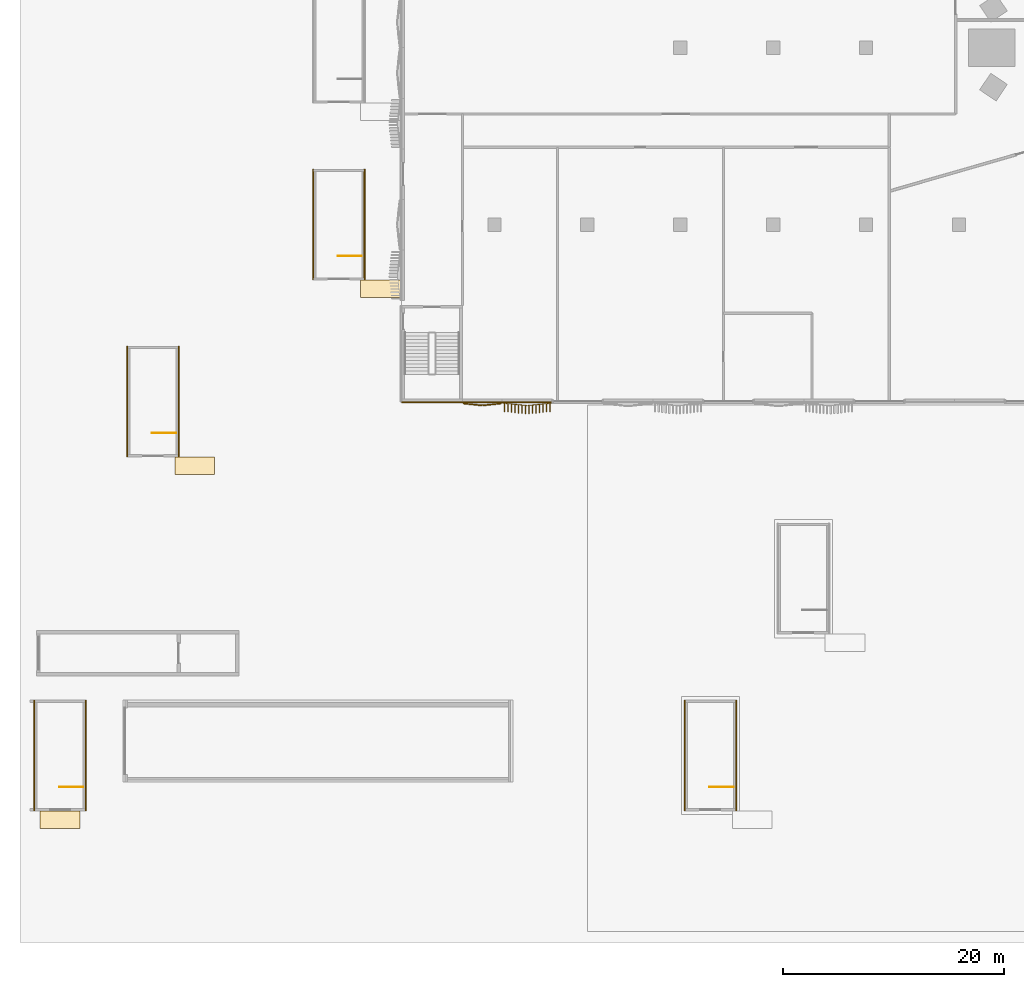
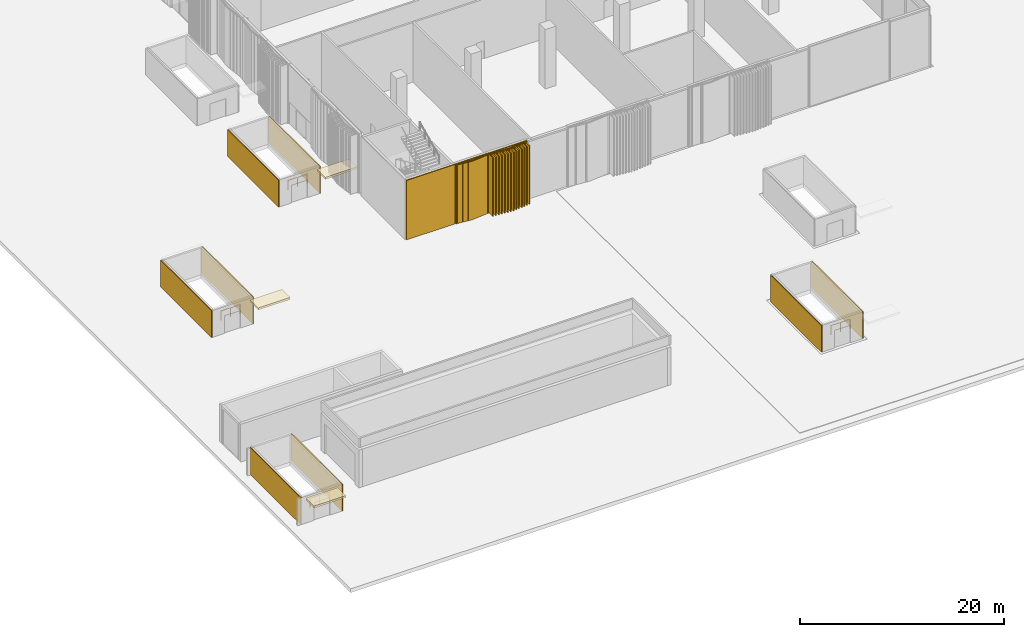
# One storey, part 29 of 41: 15 coverings, 4 railings.
"""IFC4 building model written with IfcOpenShell, lengths in metres."""

from ifc_helpers import new_model, si_unit, direction, frame, frame_2d, origin, origin_2d, place, context, subcontext, project, spatial, polyline, rectangle, circle, outline, extrude, source, transform, mapped, material, layer, layer_set, type_object, element, save


model = new_model("IFC4")

# Units and contexts
model_context = context("Model", 3, precision=1e-05, world=origin(), true_north=direction((0.0, 1.0)))
body_context = subcontext(model_context, "Body", "Model", "MODEL_VIEW")
ifc_project = project(units=[si_unit("LENGTHUNIT", "METRE"), si_unit("AREAUNIT", "SQUARE_METRE"), si_unit("VOLUMEUNIT", "CUBIC_METRE"), si_unit("PLANEANGLEUNIT", "RADIAN"), si_unit("MASSUNIT", "GRAM", prefix="KILO")], contexts=[model_context])

# Site, building, storey
site_placement = place(None, origin())
site = spatial("IfcSite", under=ifc_project, at=site_placement, CompositionType="ELEMENT")
building_placement = place(site_placement, origin())
building = spatial("IfcBuilding", under=site, at=building_placement, Name="Tamra Quay Hotel Tower", CompositionType="ELEMENT")
storey_placement = place(building_placement, origin())
storey = spatial("IfcBuildingStorey", under=building, at=storey_placement, Name="L00", CompositionType="ELEMENT", Elevation=0.0)

# Railings
ifc_material_1 = material(Name="Basement stair guard 1100")
railing_type = type_object("IfcRailingType", Name="Basement stair guard 1100", PredefinedType="GUARDRAIL", material=ifc_material_1)
railing_1_placement = place(storey_placement, frame((-109.5, -34.85009765625, 0.0)))
element("IfcRailing", 1, at=railing_1_placement, inside=storey, type_object=railing_type, Name="BSG", PredefinedType="GUARDRAIL", context=body_context, shape_type="SweptSolid", body=[
    extrude(circle(Radius=0.02392578125, at=origin_2d()), frame((0.0, 0.0, 1.076171875), z_axis=(-1.0, 0.0, 0.0), x_axis=(0.0, -1.0, 0.0)), (0.0, 0.0, 1.0), 2.14990234375),
    extrude(circle(Radius=0.02099609375, at=origin_2d()), origin(), (0.0, 0.0, 1.0), 1.052001953125),
    extrude(circle(Radius=0.02099609375, at=origin_2d()), frame((-1.074951171875, 0.0, 0.0)), (0.0, 0.0, 1.0), 1.052001953125),
    extrude(circle(Radius=0.02099609375, at=origin_2d()), frame((-2.14990234375, 0.0, 0.0)), (0.0, 0.0, 1.0), 1.052001953125),
])
railing_2_placement = place(storey_placement, frame((-92.699951171875, -18.85009765625, 0.0)))
element("IfcRailing", 2, at=railing_2_placement, inside=storey, type_object=railing_type, Name="BSG", PredefinedType="GUARDRAIL", context=body_context, shape_type="SweptSolid", body=[
    extrude(circle(Radius=0.02392578125, at=origin_2d()), frame((0.0, 0.0, 1.076171875), z_axis=(-1.0, 0.0, 0.0), x_axis=(0.0, -1.0, 0.0)), (0.0, 0.0, 1.0), 2.150146484375),
    extrude(circle(Radius=0.02099609375, at=origin_2d()), origin(), (0.0, 0.0, 1.0), 1.052001953125),
    extrude(circle(Radius=0.02099609375, at=origin_2d()), frame((-1.0751953125, 0.0, 0.0)), (0.0, 0.0, 1.0), 1.052001953125),
    extrude(circle(Radius=0.02099609375, at=origin_2d()), frame((-2.150146484375, 0.0, 0.0)), (0.0, 0.0, 1.0), 1.052001953125),
])
railing_3_placement = place(storey_placement, frame((-59.10009765625, -66.85009765625, 0.0)))
element("IfcRailing", 3, at=railing_3_placement, inside=storey, type_object=railing_type, Name="BSG", PredefinedType="GUARDRAIL", context=body_context, shape_type="SweptSolid", body=[
    extrude(circle(Radius=0.02392578125, at=origin_2d()), frame((0.0, 0.0, 1.076171875), z_axis=(-1.0, 0.0, 0.0), x_axis=(0.0, -1.0, 0.0)), (0.0, 0.0, 1.0), 2.14990234375),
    extrude(circle(Radius=0.02099609375, at=origin_2d()), origin(), (0.0, 0.0, 1.0), 1.052001953125),
    extrude(circle(Radius=0.02099609375, at=origin_2d()), frame((-1.074951171875, 0.0, 0.0)), (0.0, 0.0, 1.0), 1.052001953125),
    extrude(circle(Radius=0.02099609375, at=origin_2d()), frame((-2.14990234375, 0.0, 0.0)), (0.0, 0.0, 1.0), 1.052001953125),
])
railing_4_placement = place(storey_placement, frame((-117.89990234375, -66.85009765625, 0.0)))
element("IfcRailing", 4, at=railing_4_placement, inside=storey, type_object=railing_type, Name="BSG", PredefinedType="GUARDRAIL", context=body_context, shape_type="SweptSolid", body=[
    extrude(circle(Radius=0.02392578125, at=origin_2d()), frame((0.0, 0.0, 1.076171875), z_axis=(-1.0, 0.0, 0.0), x_axis=(0.0, -1.0, 0.0)), (0.0, 0.0, 1.0), 2.150146484375),
    extrude(circle(Radius=0.02099609375, at=origin_2d()), origin(), (0.0, 0.0, 1.0), 1.052001953125),
    extrude(circle(Radius=0.02099609375, at=origin_2d()), frame((-1.0751953125, 0.0, 0.0)), (0.0, 0.0, 1.0), 1.052001953125),
    extrude(circle(Radius=0.02099609375, at=origin_2d()), frame((-2.150146484375, 0.0, 0.0)), (0.0, 0.0, 1.0), 1.052001953125),
])

# Coverings
ifc_material_2 = material(Name="Reinforced concrete M60 with waterproofing membrane", Category="concrete")
ifc_layer_1 = layer(ifc_material_2, 0.25)
ifc_layer_set_1 = layer_set([ifc_layer_1], Name="PAVILION CANOPY SHEET 250")
covering_type_1 = type_object("IfcCoveringType", Name="PAVILION CANOPY SHEET 250", PredefinedType="ROOFING", material=ifc_layer_set_1)
covering_1_placement = place(storey_placement, frame((0.0, 0.0, 2.75)))
element("IfcCovering", 5, at=covering_1_placement, inside=storey, type_object=covering_type_1, Name="Stair pavilion BS1 door canopy", PredefinedType="ROOFING", context=body_context, shape_type="SweptSolid", body=[
    extrude(outline(polyline([(-109.60009765625, -37.0), (-106.0, -37.0), (-106.0, -38.60009765625), (-109.60009765625, -38.60009765625), (-109.60009765625, -37.0)])), origin(), (0.0, 0.0, 1.0), 0.25),
])
covering_2_placement = place(storey_placement, frame((0.0, 0.0, 2.75)))
element("IfcCovering", 6, at=covering_2_placement, inside=storey, type_object=covering_type_1, Name="Stair pavilion BS3 door canopy", PredefinedType="ROOFING", context=body_context, shape_type="SweptSolid", body=[
    extrude(outline(polyline([(-92.800048828125, -21.0), (-89.199951171875, -21.0), (-89.199951171875, -22.60009765625), (-92.800048828125, -22.60009765625), (-92.800048828125, -21.0)])), origin(), (0.0, 0.0, 1.0), 0.25),
])
covering_3_placement = place(storey_placement, frame((0.0, 0.0, 2.75)))
element("IfcCovering", 7, at=covering_3_placement, inside=storey, type_object=covering_type_1, Name="Stair pavilion BS18 door canopy", PredefinedType="ROOFING", context=body_context, shape_type="SweptSolid", body=[
    extrude(outline(polyline([(-121.77490234375, -69.0), (-118.175048828125, -69.0), (-118.175048828125, -70.60009765625), (-121.77490234375, -70.60009765625), (-121.77490234375, -69.0)])), origin(), (0.0, 0.0, 1.0), 0.25),
])
ifc_material_3 = material(Name="Precast concrete M60 terracotta-coloured pierced relief", Category="masonry")
ifc_layer_2 = layer(ifc_material_3, 0.10009765625)
ifc_layer_set_2 = layer_set([ifc_layer_2], Name="PIERCED RELIEF PANEL 100")
covering_type_2 = type_object("IfcCoveringType", Name="PIERCED RELIEF PANEL 100", PredefinedType="CLADDING", material=ifc_layer_set_2)
covering_4_placement = place(storey_placement, frame((-79.53076171875, -32.050048828125, 0.0), z_axis=(0.0, 0.0, 1.0), x_axis=(1.0, 0.0, 0.0)))
element("IfcCovering", 8, at=covering_4_placement, inside=storey, type_object=covering_type_2, Name="Relief panel L00.SW.11", PredefinedType="CLADDING", context=body_context, shape_type="SweptSolid", body=[
    extrude(rectangle(XDim=8.118408203125, YDim=0.10009765625, at=origin_2d()), origin(), (0.0, 0.0, 1.0), 7.10009765625),
])
covering_5_placement = place(storey_placement, frame((-86.35009765625, -32.050048828125, 0.0), z_axis=(0.0, 0.0, 1.0), x_axis=(1.0, 0.0, 0.0)))
element("IfcCovering", 9, at=covering_5_placement, inside=storey, type_object=covering_type_2, Name="Relief panel L00.PS2.3", PredefinedType="CLADDING", context=body_context, shape_type="SweptSolid", body=[
    extrude(rectangle(XDim=5.47998046875, YDim=0.10009765625, at=origin_2d()), origin(), (0.0, 0.0, 1.0), 7.10009765625),
])
for number, where, z_axis, x_axis, name in (
    (10, (-113.89990234375, -32.0, 0.0), (0.0, 0.0, 1.0), (0.0, -1.0, 0.0), "Relief panel BS1.W"),
    (11, (-109.25, -32.0, 0.0), (0.0, 0.0, 1.0), (0.0, 1.0, 0.0), "Relief panel BS1.E"),
    (12, (-97.10009765625, -16.0, 0.0), (0.0, 0.0, 1.0), (0.0, -1.0, 0.0), "Relief panel BS3.W"),
    (13, (-92.449951171875, -16.0, 0.0), (0.0, 0.0, 1.0), (0.0, 1.0, 0.0), "Relief panel BS3.E"),
    (14, (-63.5, -64.0, 0.0), (0.0, 0.0, 1.0), (0.0, -1.0, 0.0), "Relief panel BS6.W"),
    (15, (-58.85009765625, -64.0, 0.0), (0.0, 0.0, 1.0), (0.0, 1.0, 0.0), "Relief panel BS6.E"),
    (16, (-122.300048828125, -64.0, 0.0), (0.0, 0.0, 1.0), (0.0, -1.0, 0.0), "Relief panel BS18.W"),
    (17, (-117.64990234375, -64.0, 0.0), (0.0, 0.0, 1.0), (0.0, 1.0, 0.0), "Relief panel BS18.E"),
):
    element("IfcCovering", number, at=place(storey_placement, frame(where, z_axis=z_axis, x_axis=x_axis)), inside=storey, type_object=covering_type_2, Name=name, PredefinedType="CLADDING", context=body_context, shape_type="SweptSolid", body=[
        extrude(rectangle(XDim=9.97998046875, YDim=0.10009765625, at=origin_2d()), origin(), (0.0, 0.0, 1.0), 3.199951171875),
    ])
ifc_material_4 = material(Name="Terracotta baguette extruded", Category="masonry")
covering_type_3 = type_object("IfcCoveringType", Name="BAGUETTE SCREEN SW-SHALLOW H7100", PredefinedType="USERDEFINED", material=ifc_material_4)
shared_shape_1 = source(origin(), body_context, "Body", "SweptSolid", [
    extrude(rectangle(XDim=1.76220703125, YDim=0.06005859375, at=frame_2d((0.881103515625, 0.030029296875))), frame((-1.7587890625, -0.0576171875, -0.1201171875), z_axis=(0.0, 0.0, 1.0), x_axis=(0.994521895368, -0.104528463268, 0.0)), (0.0, 0.0, 1.0), 0.1201171875),
    extrude(rectangle(XDim=1.76220703125, YDim=0.06005859375, at=frame_2d((0.881103515625, 0.030029296875))), frame((-1.7587890625, -0.0576171875, -7.10009765625), z_axis=(0.0, 0.0, 1.0), x_axis=(0.994521895368, -0.104528463268, 0.0)), (0.0, 0.0, 1.0), 0.1201171875),
    extrude(rectangle(XDim=0.094970703125, YDim=0.10009765625, at=frame_2d((0.04736328125, 0.050048828125))), frame((-1.751220703125, -0.133056640625, -7.0400390625)), (0.0, 0.0, 1.0), 6.97998046875),
    extrude(rectangle(XDim=0.094970703125, YDim=0.10009765625, at=frame_2d((0.04736328125, 0.050048828125))), frame((-1.654052734375, -0.143310546875, -7.0400390625)), (0.0, 0.0, 1.0), 6.97998046875),
    extrude(rectangle(XDim=0.094970703125, YDim=0.10009765625, at=frame_2d((0.04736328125, 0.050048828125))), frame((-1.556640625, -0.153564453125, -7.0400390625)), (0.0, 0.0, 1.0), 6.97998046875),
    extrude(rectangle(XDim=0.094970703125, YDim=0.10009765625, at=frame_2d((0.04736328125, 0.050048828125))), frame((-1.459228515625, -0.163818359375, -7.0400390625)), (0.0, 0.0, 1.0), 6.97998046875),
    extrude(rectangle(XDim=0.094970703125, YDim=0.10009765625, at=frame_2d((0.04736328125, 0.050048828125))), frame((-1.36181640625, -0.174072265625, -7.0400390625)), (0.0, 0.0, 1.0), 6.97998046875),
    extrude(rectangle(XDim=0.094970703125, YDim=0.10009765625, at=frame_2d((0.04736328125, 0.050048828125))), frame((-1.264404296875, -0.184326171875, -7.0400390625)), (0.0, 0.0, 1.0), 6.97998046875),
    extrude(rectangle(XDim=0.094970703125, YDim=0.10009765625, at=frame_2d((0.04736328125, 0.050048828125))), frame((-1.167236328125, -0.194580078125, -7.0400390625)), (0.0, 0.0, 1.0), 6.97998046875),
    extrude(rectangle(XDim=0.094970703125, YDim=0.10009765625, at=frame_2d((0.04736328125, 0.050048828125))), frame((-1.06982421875, -0.204833984375, -7.0400390625)), (0.0, 0.0, 1.0), 6.97998046875),
    extrude(rectangle(XDim=0.094970703125, YDim=0.10009765625, at=frame_2d((0.04736328125, 0.050048828125))), frame((-0.972412109375, -0.215087890625, -7.0400390625)), (0.0, 0.0, 1.0), 6.97998046875),
    extrude(rectangle(XDim=0.094970703125, YDim=0.10009765625, at=frame_2d((0.04736328125, 0.050048828125))), frame((-0.875, -0.22509765625, -7.0400390625)), (0.0, 0.0, 1.0), 6.97998046875),
    extrude(rectangle(XDim=0.094970703125, YDim=0.10009765625, at=frame_2d((0.04736328125, 0.050048828125))), frame((-0.77783203125, -0.2353515625, -7.0400390625)), (0.0, 0.0, 1.0), 6.97998046875),
    extrude(rectangle(XDim=0.094970703125, YDim=0.10009765625, at=frame_2d((0.04736328125, 0.050048828125))), frame((-0.680419921875, -0.24560546875, -7.0400390625)), (0.0, 0.0, 1.0), 6.97998046875),
    extrude(rectangle(XDim=0.094970703125, YDim=0.10009765625, at=frame_2d((0.04736328125, 0.050048828125))), frame((-0.5830078125, -0.255859375, -7.0400390625)), (0.0, 0.0, 1.0), 6.97998046875),
    extrude(rectangle(XDim=0.094970703125, YDim=0.10009765625, at=frame_2d((0.04736328125, 0.050048828125))), frame((-0.485595703125, -0.26611328125, -7.0400390625)), (0.0, 0.0, 1.0), 6.97998046875),
    extrude(rectangle(XDim=0.094970703125, YDim=0.10009765625, at=frame_2d((0.04736328125, 0.050048828125))), frame((-0.38818359375, -0.2763671875, -7.0400390625)), (0.0, 0.0, 1.0), 6.97998046875),
    extrude(rectangle(XDim=0.094970703125, YDim=0.10009765625, at=frame_2d((0.04736328125, 0.050048828125))), frame((-0.291015625, -0.28662109375, -7.0400390625)), (0.0, 0.0, 1.0), 6.97998046875),
    extrude(rectangle(XDim=0.094970703125, YDim=0.10009765625, at=frame_2d((0.04736328125, 0.050048828125))), frame((-0.193603515625, -0.296875, -7.0400390625)), (0.0, 0.0, 1.0), 6.97998046875),
    extrude(rectangle(XDim=0.094970703125, YDim=0.10009765625, at=frame_2d((0.04736328125, 0.050048828125))), frame((-0.09619140625, -0.30712890625, -7.0400390625)), (0.0, 0.0, 1.0), 6.97998046875),
    extrude(rectangle(XDim=1.76220703125, YDim=0.06005859375, at=frame_2d((0.881103515625, 0.030029296875))), frame((0.00634765625, -0.241943359375, -0.1201171875), z_axis=(0.0, 0.0, 1.0), x_axis=(0.994521895368, 0.104528463268, 0.0)), (0.0, 0.0, 1.0), 0.1201171875),
    extrude(rectangle(XDim=1.76220703125, YDim=0.06005859375, at=frame_2d((0.881103515625, 0.030029296875))), frame((0.00634765625, -0.241943359375, -7.10009765625), z_axis=(0.0, 0.0, 1.0), x_axis=(0.994521895368, 0.104528463268, 0.0)), (0.0, 0.0, 1.0), 0.1201171875),
    extrude(rectangle(XDim=0.094970703125, YDim=0.10009765625, at=frame_2d((0.04736328125, 0.050048828125))), frame((0.001220703125, -0.30712890625, -7.0400390625)), (0.0, 0.0, 1.0), 6.97998046875),
    extrude(rectangle(XDim=0.094970703125, YDim=0.10009765625, at=frame_2d((0.04736328125, 0.050048828125))), frame((0.0986328125, -0.296875, -7.0400390625)), (0.0, 0.0, 1.0), 6.97998046875),
    extrude(rectangle(XDim=0.094970703125, YDim=0.10009765625, at=frame_2d((0.04736328125, 0.050048828125))), frame((0.19580078125, -0.28662109375, -7.0400390625)), (0.0, 0.0, 1.0), 6.97998046875),
    extrude(rectangle(XDim=0.094970703125, YDim=0.10009765625, at=frame_2d((0.04736328125, 0.050048828125))), frame((0.293212890625, -0.2763671875, -7.0400390625)), (0.0, 0.0, 1.0), 6.97998046875),
    extrude(rectangle(XDim=0.094970703125, YDim=0.10009765625, at=frame_2d((0.04736328125, 0.050048828125))), frame((0.390625, -0.26611328125, -7.0400390625)), (0.0, 0.0, 1.0), 6.97998046875),
    extrude(rectangle(XDim=0.094970703125, YDim=0.10009765625, at=frame_2d((0.04736328125, 0.050048828125))), frame((0.488037109375, -0.255859375, -7.0400390625)), (0.0, 0.0, 1.0), 6.97998046875),
    extrude(rectangle(XDim=0.094970703125, YDim=0.10009765625, at=frame_2d((0.04736328125, 0.050048828125))), frame((0.58544921875, -0.24560546875, -7.0400390625)), (0.0, 0.0, 1.0), 6.97998046875),
    extrude(rectangle(XDim=0.094970703125, YDim=0.10009765625, at=frame_2d((0.04736328125, 0.050048828125))), frame((0.6826171875, -0.2353515625, -7.0400390625)), (0.0, 0.0, 1.0), 6.97998046875),
    extrude(rectangle(XDim=0.094970703125, YDim=0.10009765625, at=frame_2d((0.04736328125, 0.050048828125))), frame((0.780029296875, -0.22509765625, -7.0400390625)), (0.0, 0.0, 1.0), 6.97998046875),
    extrude(rectangle(XDim=0.094970703125, YDim=0.10009765625, at=frame_2d((0.04736328125, 0.050048828125))), frame((0.87744140625, -0.215087890625, -7.0400390625)), (0.0, 0.0, 1.0), 6.97998046875),
    extrude(rectangle(XDim=0.094970703125, YDim=0.10009765625, at=frame_2d((0.04736328125, 0.050048828125))), frame((0.974853515625, -0.204833984375, -7.0400390625)), (0.0, 0.0, 1.0), 6.97998046875),
    extrude(rectangle(XDim=0.094970703125, YDim=0.10009765625, at=frame_2d((0.04736328125, 0.050048828125))), frame((1.072265625, -0.194580078125, -7.0400390625)), (0.0, 0.0, 1.0), 6.97998046875),
    extrude(rectangle(XDim=0.094970703125, YDim=0.10009765625, at=frame_2d((0.04736328125, 0.050048828125))), frame((1.16943359375, -0.184326171875, -7.0400390625)), (0.0, 0.0, 1.0), 6.97998046875),
    extrude(rectangle(XDim=0.094970703125, YDim=0.10009765625, at=frame_2d((0.04736328125, 0.050048828125))), frame((1.266845703125, -0.174072265625, -7.0400390625)), (0.0, 0.0, 1.0), 6.97998046875),
    extrude(rectangle(XDim=0.094970703125, YDim=0.10009765625, at=frame_2d((0.04736328125, 0.050048828125))), frame((1.3642578125, -0.163818359375, -7.0400390625)), (0.0, 0.0, 1.0), 6.97998046875),
    extrude(rectangle(XDim=0.094970703125, YDim=0.10009765625, at=frame_2d((0.04736328125, 0.050048828125))), frame((1.461669921875, -0.153564453125, -7.0400390625)), (0.0, 0.0, 1.0), 6.97998046875),
    extrude(rectangle(XDim=0.094970703125, YDim=0.10009765625, at=frame_2d((0.04736328125, 0.050048828125))), frame((1.55908203125, -0.143310546875, -7.0400390625)), (0.0, 0.0, 1.0), 6.97998046875),
    extrude(rectangle(XDim=0.094970703125, YDim=0.10009765625, at=frame_2d((0.04736328125, 0.050048828125))), frame((1.65625, -0.133056640625, -7.0400390625)), (0.0, 0.0, 1.0), 6.97998046875),
])
covering_6_placement = place(storey_placement, frame((-81.803955078125, -32.10009765625, 7.10009765625), z_axis=(0.0, 0.0, 1.0), x_axis=(1.0, 0.0, 0.0)))
element("IfcCovering", 18, at=covering_6_placement, inside=storey, type_object=covering_type_3, Name="Baguette screen wing.L00.SW.11", ObjectType="BAGUETTE SCREEN", PredefinedType="USERDEFINED", context=body_context, shape_type="MappedRepresentation", body=[
    mapped(shared_shape_1, transform((0.0, 0.0, 0.0), scale=1.0)),
])
covering_type_4 = type_object("IfcCoveringType", Name="BAGUETTE SCREEN SW-DEEP H7100", PredefinedType="USERDEFINED", material=ifc_material_4)
shared_shape_2 = source(origin(), body_context, "Body", "SweptSolid", [
    extrude(rectangle(XDim=2.244873046875, YDim=0.06005859375, at=frame_2d((1.12255859375, 0.030029296875))), frame((-2.23876953125, -0.0576171875, -0.1201171875), z_axis=(0.0, 0.0, 1.0), x_axis=(0.994521895368, -0.104528463268, 0.0)), (0.0, 0.0, 1.0), 0.1201171875),
    extrude(rectangle(XDim=2.244873046875, YDim=0.06005859375, at=frame_2d((1.12255859375, 0.030029296875))), frame((-2.23876953125, -0.0576171875, -7.10009765625), z_axis=(0.0, 0.0, 1.0), x_axis=(0.994521895368, -0.104528463268, 0.0)), (0.0, 0.0, 1.0), 0.1201171875),
    extrude(rectangle(XDim=0.10009765625, YDim=0.780029296875, at=frame_2d((0.050048828125, 0.39013671875))), frame((-2.123046875, -0.82470703125, -7.0400390625)), (0.0, 0.0, 1.0), 6.97998046875),
    extrude(rectangle(XDim=0.10009765625, YDim=0.780029296875, at=frame_2d((0.050048828125, 0.39013671875))), frame((-1.80419921875, -0.8583984375, -7.0400390625)), (0.0, 0.0, 1.0), 6.97998046875),
    extrude(rectangle(XDim=0.10009765625, YDim=0.780029296875, at=frame_2d((0.050048828125, 0.39013671875))), frame((-1.485107421875, -0.891845703125, -7.0400390625)), (0.0, 0.0, 1.0), 6.97998046875),
    extrude(rectangle(XDim=0.10009765625, YDim=0.780029296875, at=frame_2d((0.050048828125, 0.39013671875))), frame((-1.166259765625, -0.92529296875, -7.0400390625)), (0.0, 0.0, 1.0), 6.97998046875),
    extrude(rectangle(XDim=0.10009765625, YDim=0.780029296875, at=frame_2d((0.050048828125, 0.39013671875))), frame((-0.847412109375, -0.958740234375, -7.0400390625)), (0.0, 0.0, 1.0), 6.97998046875),
    extrude(rectangle(XDim=0.10009765625, YDim=0.780029296875, at=frame_2d((0.050048828125, 0.39013671875))), frame((-0.5283203125, -0.992431640625, -7.0400390625)), (0.0, 0.0, 1.0), 6.97998046875),
    extrude(rectangle(XDim=0.10009765625, YDim=0.780029296875, at=frame_2d((0.050048828125, 0.39013671875))), frame((-0.20947265625, -1.02587890625, -7.0400390625)), (0.0, 0.0, 1.0), 6.97998046875),
    extrude(rectangle(XDim=2.244873046875, YDim=0.06005859375, at=frame_2d((1.12255859375, 0.030029296875))), frame((0.00634765625, -0.292236328125, -0.1201171875), z_axis=(0.0, 0.0, 1.0), x_axis=(0.994521895368, 0.104528463268, 0.0)), (0.0, 0.0, 1.0), 0.1201171875),
    extrude(rectangle(XDim=2.244873046875, YDim=0.06005859375, at=frame_2d((1.12255859375, 0.030029296875))), frame((0.00634765625, -0.292236328125, -7.10009765625), z_axis=(0.0, 0.0, 1.0), x_axis=(0.994521895368, 0.104528463268, 0.0)), (0.0, 0.0, 1.0), 0.1201171875),
    extrude(rectangle(XDim=0.10009765625, YDim=0.780029296875, at=frame_2d((0.050048828125, 0.39013671875))), frame((0.109375, -1.02587890625, -7.0400390625)), (0.0, 0.0, 1.0), 6.97998046875),
    extrude(rectangle(XDim=0.10009765625, YDim=0.780029296875, at=frame_2d((0.050048828125, 0.39013671875))), frame((0.428466796875, -0.992431640625, -7.0400390625)), (0.0, 0.0, 1.0), 6.97998046875),
    extrude(rectangle(XDim=0.10009765625, YDim=0.780029296875, at=frame_2d((0.050048828125, 0.39013671875))), frame((0.747314453125, -0.958740234375, -7.0400390625)), (0.0, 0.0, 1.0), 6.97998046875),
    extrude(rectangle(XDim=0.10009765625, YDim=0.780029296875, at=frame_2d((0.050048828125, 0.39013671875))), frame((1.066162109375, -0.92529296875, -7.0400390625)), (0.0, 0.0, 1.0), 6.97998046875),
    extrude(rectangle(XDim=0.10009765625, YDim=0.780029296875, at=frame_2d((0.050048828125, 0.39013671875))), frame((1.38525390625, -0.891845703125, -7.0400390625)), (0.0, 0.0, 1.0), 6.97998046875),
    extrude(rectangle(XDim=0.10009765625, YDim=0.780029296875, at=frame_2d((0.050048828125, 0.39013671875))), frame((1.7041015625, -0.8583984375, -7.0400390625)), (0.0, 0.0, 1.0), 6.97998046875),
    extrude(rectangle(XDim=0.10009765625, YDim=0.780029296875, at=frame_2d((0.050048828125, 0.39013671875))), frame((2.02294921875, -0.82470703125, -7.0400390625)), (0.0, 0.0, 1.0), 6.97998046875),
])
covering_7_placement = place(storey_placement, frame((-77.734619140625, -32.10009765625, 7.10009765625), z_axis=(0.0, 0.0, 1.0), x_axis=(1.0, 0.0, 0.0)))
element("IfcCovering", 19, at=covering_7_placement, inside=storey, type_object=covering_type_4, Name="Baguette screen wing.L00.SW.12", ObjectType="BAGUETTE SCREEN", PredefinedType="USERDEFINED", context=body_context, shape_type="MappedRepresentation", body=[
    mapped(shared_shape_2, transform((0.0, 0.0, 0.0), scale=1.0)),
])

save(model, "model.ifc")
